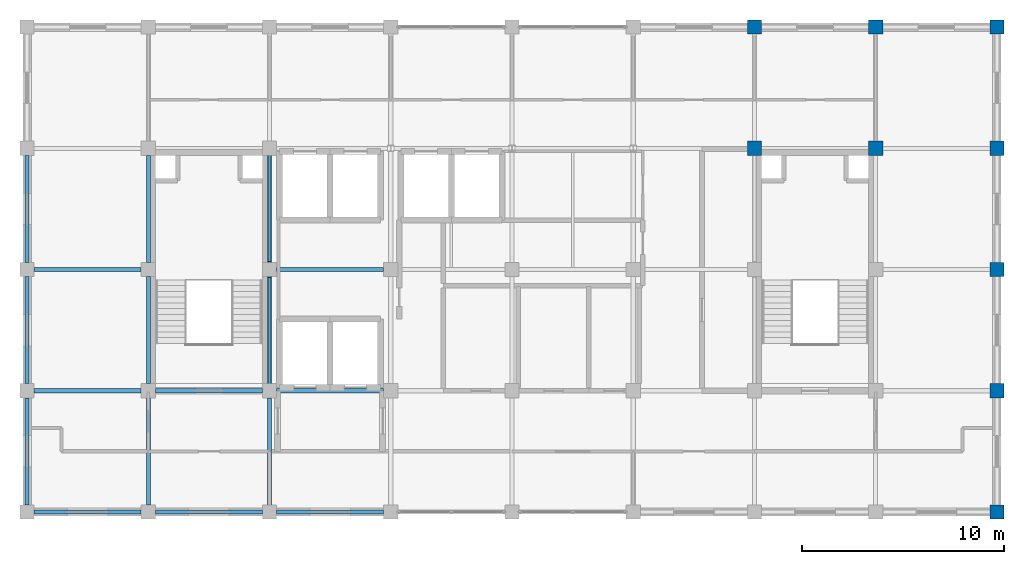
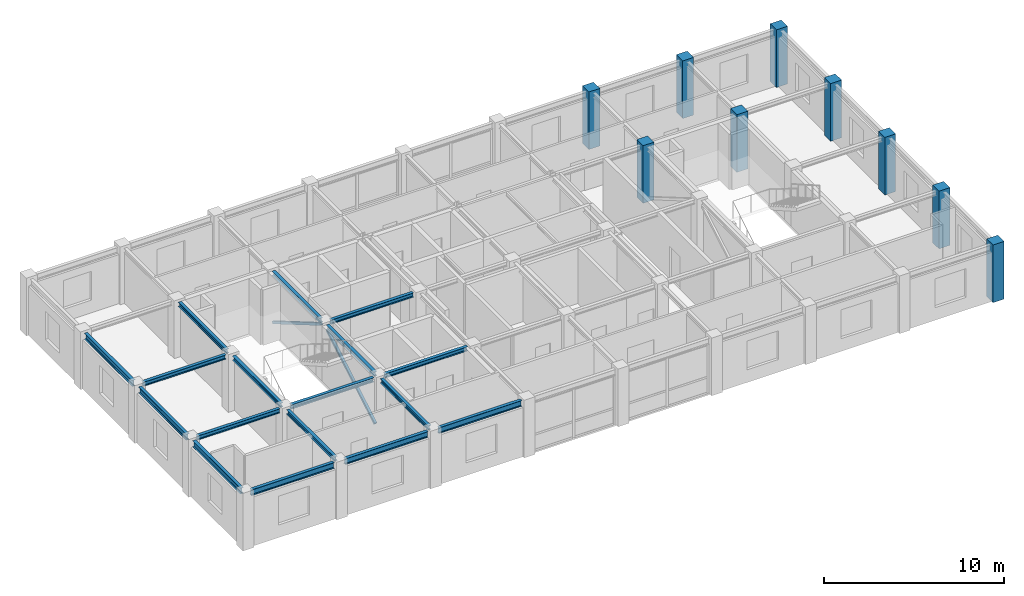
# One storey, part 3 of 11: 17 beams, 9 columns, 2 members.
"""IFC4 building model written with IfcOpenShell, lengths in metres."""

from ifc_helpers import new_model, si_unit, direction, frame, origin, origin_2d, place, context, subcontext, project, spatial, rectangle, hollow_rectangle, i_section, extrude, material, material_profile, profile_set, type_object, element, save


model = new_model("IFC4")

# Units and contexts
model_context = context("Model", 3, precision=1e-05, world=origin(), true_north=direction((0.0, 1.0)))
body_context = subcontext(model_context, "Body", "Model", "MODEL_VIEW")
ifc_project = project(units=[si_unit("LENGTHUNIT", "METRE"), si_unit("AREAUNIT", "SQUARE_METRE"), si_unit("VOLUMEUNIT", "CUBIC_METRE"), si_unit("PLANEANGLEUNIT", "RADIAN"), si_unit("MASSUNIT", "GRAM", prefix="KILO")], contexts=[model_context])

# Site, building, storey
site_placement = place(None, origin())
site = spatial("IfcSite", under=ifc_project, at=site_placement, CompositionType="ELEMENT")
building_placement = place(site_placement, origin())
building = spatial("IfcBuilding", under=site, at=building_placement, Name="Zlatovratsky Civic Hall", CompositionType="ELEMENT")
storey_placement = place(building_placement, frame((0.0, 0.0, 60.0)))
storey = spatial("IfcBuildingStorey", under=building, at=storey_placement, Name="L15", CompositionType="ELEMENT", Elevation=60.0)

# Columns
ifc_material_1 = material(Name="Concrete C35/45 (B40)", Category="concrete")
ifc_material_profile_1 = material_profile(ifc_material_1, rectangle(XDim=0.699951171875, YDim=0.699951171875, at=origin_2d()), Name="RC 700x700")
ifc_profile_set_1 = profile_set([ifc_material_profile_1], Name="Concrete C35/45 (B40)")
column_type = type_object("IfcColumnType", Name="Col_CorePier_RC700", PredefinedType="COLUMN", material=ifc_profile_set_1)
for number, where, z_axis, x_axis, name in (
    (1, (108.0, 78.0, 0.0), (0.0, 0.0, 1.0), (1.0, 0.0, 0.0), "CL-2563"),
    (2, (108.0, 84.0, 0.0), (0.0, 0.0, 1.0), (1.0, 0.0, 0.0), "CL-2572"),
    (3, (108.0, 90.0, 0.0), (0.0, 0.0, 1.0), (1.0, 0.0, 0.0), "CL-2581"),
    (4, (96.0, 96.0, 0.0), (0.0, 0.0, 1.0), (1.0, 0.0, 0.0), "CL-2588"),
    (5, (102.0, 96.0, 0.0), (0.0, 0.0, 1.0), (1.0, 0.0, 0.0), "CL-2589"),
    (6, (108.0, 96.0, 0.0), (0.0, 0.0, 1.0), (1.0, 0.0, 0.0), "CL-2590"),
    (7, (96.0, 102.0, 0.0), (0.0, 0.0, 1.0), (1.0, 0.0, 0.0), "CL-2597"),
    (8, (102.0, 102.0, 0.0), (0.0, 0.0, 1.0), (1.0, 0.0, 0.0), "CL-2598"),
    (9, (108.0, 102.0, 0.0), (0.0, 0.0, 1.0), (1.0, 0.0, 0.0), "CL-2599"),
):
    element("IfcColumn", number, at=place(storey_placement, frame(where, z_axis=z_axis, x_axis=x_axis)), inside=storey, type_object=column_type, Name=name, PredefinedType="COLUMN", context=body_context, shape_type="SweptSolid", body=[
        extrude(rectangle(XDim=0.699951171875, YDim=0.699951171875, at=origin_2d()), origin(), (0.0, 0.0, 1.0), 3.89990234375),
    ])

# Beams
ifc_material_2 = material(Name="Steel S355", Category="steel")
ifc_material_profile_2 = material_profile(ifc_material_2, i_section(OverallWidth=0.199951171875, OverallDepth=0.39990234375, WebThickness=0.008056640625, FlangeThickness=0.012939453125, FilletRadius=0.014892578125, at=origin_2d()), Name="40B2")
ifc_profile_set_2 = profile_set([ifc_material_profile_2], Name="Steel S355")
beam_type_1 = type_object("IfcBeamType", Name="Beam_Spandrel_40B2", PredefinedType="SPANDREL", material=ifc_profile_set_2)
for number, where, z_axis, x_axis, name in (
    (10, (60.35009765625, 78.0, 3.5400390625), (1.0, 0.0, 0.0), (0.0, 1.0, 0.0), "BM-5041"),
    (11, (66.35009765625, 78.0, 3.5400390625), (1.0, 0.0, 0.0), (0.0, 1.0, 0.0), "BM-5042"),
    (12, (72.35009765625, 78.0, 3.5400390625), (1.0, 0.0, 0.0), (0.0, 1.0, 0.0), "BM-5043"),
    (13, (60.0, 78.35009765625, 3.5400390625), (0.0, 1.0, 0.0), (-1.0, 0.0, 0.0), "BM-5079"),
    (14, (60.0, 84.35009765625, 3.5400390625), (0.0, 1.0, 0.0), (-1.0, 0.0, 0.0), "BM-5080"),
    (15, (60.0, 90.35009765625, 3.5400390625), (0.0, 1.0, 0.0), (-1.0, 0.0, 0.0), "BM-5081"),
):
    element("IfcBeam", number, at=place(storey_placement, frame(where, z_axis=z_axis, x_axis=x_axis)), inside=storey, type_object=beam_type_1, Name=name, PredefinedType="SPANDREL", context=body_context, shape_type="SweptSolid", body=[
        extrude(i_section(OverallWidth=0.199951171875, OverallDepth=0.39990234375, WebThickness=0.008056640625, FlangeThickness=0.012939453125, FilletRadius=0.014892578125, at=origin_2d()), origin(), (0.0, 0.0, 1.0), 5.2998046875),
    ])
ifc_material_profile_3 = material_profile(ifc_material_2, i_section(OverallWidth=0.199951171875, OverallDepth=0.291015625, WebThickness=0.008056640625, FlangeThickness=0.010986328125, FilletRadius=0.01806640625, at=origin_2d()), Name="30Sh1")
ifc_profile_set_3 = profile_set([ifc_material_profile_3], Name="Steel S355")
beam_type_2 = type_object("IfcBeamType", Name="Beam_TowerHigh_30Sh1", PredefinedType="BEAM", material=ifc_profile_set_3)
for number, where, z_axis, x_axis, name in (
    (16, (60.35009765625, 84.0, 3.594482421875), (1.0, 0.0, 0.0), (0.0, 1.0, 0.0), "BM-5049"),
    (17, (66.35009765625, 84.0, 3.594482421875), (1.0, 0.0, 0.0), (0.0, 1.0, 0.0), "BM-5050"),
    (18, (72.35009765625, 84.0, 3.594482421875), (1.0, 0.0, 0.0), (0.0, 1.0, 0.0), "BM-5051"),
    (19, (60.35009765625, 90.0, 3.594482421875), (1.0, 0.0, 0.0), (0.0, 1.0, 0.0), "BM-5057"),
    (20, (72.35009765625, 90.0, 3.594482421875), (1.0, 0.0, 0.0), (0.0, 1.0, 0.0), "BM-5058"),
    (21, (66.0, 78.35009765625, 3.594482421875), (0.0, 1.0, 0.0), (-1.0, 0.0, 0.0), "BM-5083"),
    (22, (66.0, 84.35009765625, 3.594482421875), (0.0, 1.0, 0.0), (-1.0, 0.0, 0.0), "BM-5084"),
    (23, (66.0, 90.35009765625, 3.594482421875), (0.0, 1.0, 0.0), (-1.0, 0.0, 0.0), "BM-5085"),
    (24, (72.0, 78.35009765625, 3.594482421875), (0.0, 1.0, 0.0), (-1.0, 0.0, 0.0), "BM-5087"),
    (25, (72.0, 84.35009765625, 3.594482421875), (0.0, 1.0, 0.0), (-1.0, 0.0, 0.0), "BM-5088"),
    (26, (72.0, 90.35009765625, 3.594482421875), (0.0, 1.0, 0.0), (-1.0, 0.0, 0.0), "BM-5089"),
):
    element("IfcBeam", number, at=place(storey_placement, frame(where, z_axis=z_axis, x_axis=x_axis)), inside=storey, type_object=beam_type_2, Name=name, PredefinedType="BEAM", context=body_context, shape_type="SweptSolid", body=[
        extrude(i_section(OverallWidth=0.199951171875, OverallDepth=0.291015625, WebThickness=0.008056640625, FlangeThickness=0.010986328125, FilletRadius=0.01806640625, at=origin_2d()), origin(), (0.0, 0.0, 1.0), 5.2998046875),
    ])

# Members
ifc_material_profile_4 = material_profile(ifc_material_2, hollow_rectangle(XDim=0.159912109375, YDim=0.159912109375, WallThickness=0.008056640625, at=origin_2d()), Name="SHS 160x160x8")
ifc_profile_set_4 = profile_set([ifc_material_profile_4], Name="Steel S355")
member_type = type_object("IfcMemberType", Name="Brace_TowerHigh_SHS160", PredefinedType="BRACE", material=ifc_profile_set_4)
for number, where, z_axis, x_axis, name in (
    (27, (72.0, 84.35009765625, 0.25), (0.0, 0.863172562464, 0.504909028845), (-1.0, 0.0, 0.0), "MB-0164"),
    (28, (72.0, 90.35009765625, 3.35009765625), (0.0, 0.863172562464, -0.504909028845), (-1.0, 0.0, 0.0), "MB-0165"),
):
    element("IfcMember", number, at=place(storey_placement, frame(where, z_axis=z_axis, x_axis=x_axis)), inside=storey, type_object=member_type, Name=name, PredefinedType="BRACE", context=body_context, shape_type="SweptSolid", body=[
        extrude(hollow_rectangle(XDim=0.159912109375, YDim=0.159912109375, WallThickness=0.008056640625, at=origin_2d()), origin(), (0.0, 0.0, 1.0), 6.139892578125),
    ])

save(model, "model.ifc")
